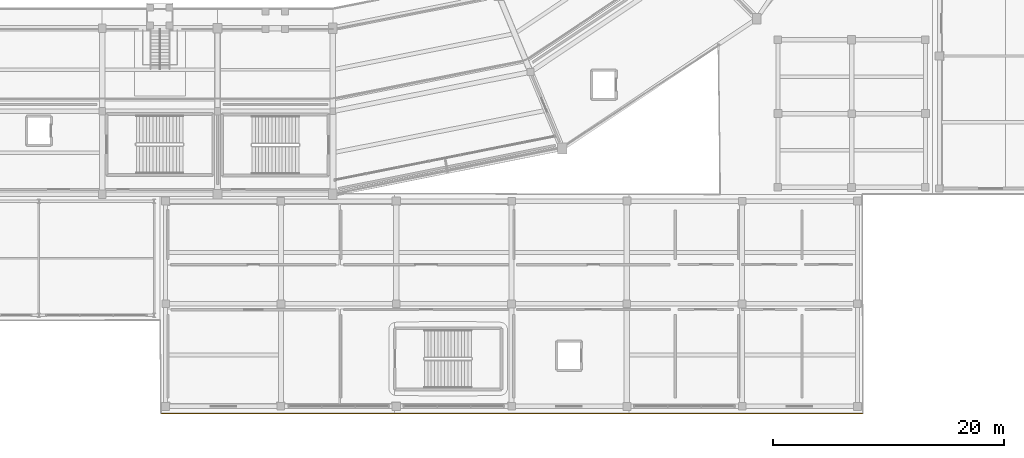
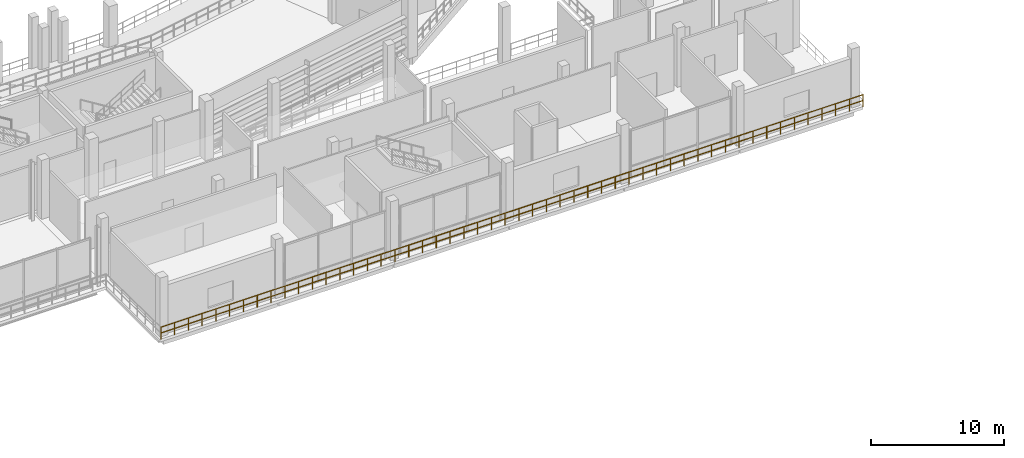
# One storey, part 110 of 127: 1 railing.
"""IFC4 building model written with IfcOpenShell, lengths in metres."""

from ifc_helpers import new_model, si_unit, direction, frame, origin, origin_2d, place, context, subcontext, project, spatial, circle, extrude, material, layer, layer_set, type_object, element, save


model = new_model("IFC4")

# Units and contexts
model_context = context("Model", 3, precision=1e-05, world=origin(), true_north=direction((0.0, 1.0)))
body_context = subcontext(model_context, "Body", "Model", "MODEL_VIEW")
ifc_project = project(units=[si_unit("LENGTHUNIT", "METRE"), si_unit("AREAUNIT", "SQUARE_METRE"), si_unit("VOLUMEUNIT", "CUBIC_METRE"), si_unit("PLANEANGLEUNIT", "RADIAN"), si_unit("MASSUNIT", "GRAM", prefix="KILO")], contexts=[model_context])

# Site, building, storey
site_placement = place(None, origin())
site = spatial("IfcSite", under=ifc_project, at=site_placement, CompositionType="ELEMENT")
building_placement = place(site_placement, origin())
building = spatial("IfcBuilding", under=site, at=building_placement, Name="Candeia Ridge Stadium", CompositionType="ELEMENT")
storey_placement = place(building_placement, frame((0.0, 0.0, 10.800048828125)))
storey = spatial("IfcBuildingStorey", under=building, at=storey_placement, Name="L02", CompositionType="ELEMENT", Elevation=10.800048828125)

# Railing
ifc_material = material(Name="Galvanized Powder-Coated Steel", Category="steel")
ifc_layer = layer(ifc_material, 0.074951171875, Name="Galvanized Powder-Coated Steel", Category="steel")
ifc_layer_set = layer_set([ifc_layer], Name="Galvanized Powder-Coated Steel")
railing_type = type_object("IfcRailingType", Name="Spectator Bowl Front Guardrail 1120", PredefinedType="GUARDRAIL", material=ifc_layer_set)
railing_placement = place(storey_placement, frame((187.0, 0.0, 0.0)))
element("IfcRailing", 1, at=railing_placement, inside=storey, type_object=railing_type, Name="Deck edge safety guardrail GR-DE-L02-0066", PredefinedType="GUARDRAIL", context=body_context, shape_type="SweptSolid", body=[
    extrude(circle(Radius=0.02392578125, at=origin_2d()), frame((0.0, 0.0, 1.09619140625), z_axis=(-1.0, 0.0, 0.0), x_axis=(0.0, -1.0, 0.0)), (0.0, 0.0, 1.0), 60.919921875),
    extrude(circle(Radius=0.02392578125, at=origin_2d()), frame((0.0, 0.0, 0.56005859375), z_axis=(-1.0, 0.0, 0.0), x_axis=(0.0, -1.0, 0.0)), (0.0, 0.0, 1.0), 60.919921875),
    extrude(circle(Radius=0.02099609375, at=origin_2d()), origin(), (0.0, 0.0, 1.0), 1.072021484375),
    extrude(circle(Radius=0.02099609375, at=origin_2d()), frame((-1.194580078125, 0.0, 0.0)), (0.0, 0.0, 1.0), 1.072021484375),
    extrude(circle(Radius=0.02099609375, at=origin_2d()), frame((-2.388916015625, 0.0, 0.0)), (0.0, 0.0, 1.0), 1.072021484375),
    extrude(circle(Radius=0.02099609375, at=origin_2d()), frame((-3.58349609375, 0.0, 0.0)), (0.0, 0.0, 1.0), 1.072021484375),
    extrude(circle(Radius=0.02099609375, at=origin_2d()), frame((-4.778076171875, 0.0, 0.0)), (0.0, 0.0, 1.0), 1.072021484375),
    extrude(circle(Radius=0.02099609375, at=origin_2d()), frame((-5.97265625, 0.0, 0.0)), (0.0, 0.0, 1.0), 1.072021484375),
    extrude(circle(Radius=0.02099609375, at=origin_2d()), frame((-7.1669921875, 0.0, 0.0)), (0.0, 0.0, 1.0), 1.072021484375),
    extrude(circle(Radius=0.02099609375, at=origin_2d()), frame((-8.361572265625, 0.0, 0.0)), (0.0, 0.0, 1.0), 1.072021484375),
    extrude(circle(Radius=0.02099609375, at=origin_2d()), frame((-9.55615234375, 0.0, 0.0)), (0.0, 0.0, 1.0), 1.072021484375),
    extrude(circle(Radius=0.02099609375, at=origin_2d()), frame((-10.75048828125, 0.0, 0.0)), (0.0, 0.0, 1.0), 1.072021484375),
    extrude(circle(Radius=0.02099609375, at=origin_2d()), frame((-11.945068359375, 0.0, 0.0)), (0.0, 0.0, 1.0), 1.072021484375),
    extrude(circle(Radius=0.02099609375, at=origin_2d()), frame((-13.1396484375, 0.0, 0.0)), (0.0, 0.0, 1.0), 1.072021484375),
    extrude(circle(Radius=0.02099609375, at=origin_2d()), frame((-14.333984375, 0.0, 0.0)), (0.0, 0.0, 1.0), 1.072021484375),
    extrude(circle(Radius=0.02099609375, at=origin_2d()), frame((-15.528564453125, 0.0, 0.0)), (0.0, 0.0, 1.0), 1.072021484375),
    extrude(circle(Radius=0.02099609375, at=origin_2d()), frame((-16.72314453125, 0.0, 0.0)), (0.0, 0.0, 1.0), 1.072021484375),
    extrude(circle(Radius=0.02099609375, at=origin_2d()), frame((-17.917724609375, 0.0, 0.0)), (0.0, 0.0, 1.0), 1.072021484375),
    extrude(circle(Radius=0.02099609375, at=origin_2d()), frame((-19.112060546875, 0.0, 0.0)), (0.0, 0.0, 1.0), 1.072021484375),
    extrude(circle(Radius=0.02099609375, at=origin_2d()), frame((-20.306640625, 0.0, 0.0)), (0.0, 0.0, 1.0), 1.072021484375),
    extrude(circle(Radius=0.02099609375, at=origin_2d()), frame((-21.501220703125, 0.0, 0.0)), (0.0, 0.0, 1.0), 1.072021484375),
    extrude(circle(Radius=0.02099609375, at=origin_2d()), frame((-22.695556640625, 0.0, 0.0)), (0.0, 0.0, 1.0), 1.072021484375),
    extrude(circle(Radius=0.02099609375, at=origin_2d()), frame((-23.89013671875, 0.0, 0.0)), (0.0, 0.0, 1.0), 1.072021484375),
    extrude(circle(Radius=0.02099609375, at=origin_2d()), frame((-25.084716796875, 0.0, 0.0)), (0.0, 0.0, 1.0), 1.072021484375),
    extrude(circle(Radius=0.02099609375, at=origin_2d()), frame((-26.279296875, 0.0, 0.0)), (0.0, 0.0, 1.0), 1.072021484375),
    extrude(circle(Radius=0.02099609375, at=origin_2d()), frame((-27.4736328125, 0.0, 0.0)), (0.0, 0.0, 1.0), 1.072021484375),
    extrude(circle(Radius=0.02099609375, at=origin_2d()), frame((-28.668212890625, 0.0, 0.0)), (0.0, 0.0, 1.0), 1.072021484375),
    extrude(circle(Radius=0.02099609375, at=origin_2d()), frame((-29.86279296875, 0.0, 0.0)), (0.0, 0.0, 1.0), 1.072021484375),
    extrude(circle(Radius=0.02099609375, at=origin_2d()), frame((-31.05712890625, 0.0, 0.0)), (0.0, 0.0, 1.0), 1.072021484375),
    extrude(circle(Radius=0.02099609375, at=origin_2d()), frame((-32.251708984375, 0.0, 0.0)), (0.0, 0.0, 1.0), 1.072021484375),
    extrude(circle(Radius=0.02099609375, at=origin_2d()), frame((-33.4462890625, 0.0, 0.0)), (0.0, 0.0, 1.0), 1.072021484375),
    extrude(circle(Radius=0.02099609375, at=origin_2d()), frame((-34.640625, 0.0, 0.0)), (0.0, 0.0, 1.0), 1.072021484375),
    extrude(circle(Radius=0.02099609375, at=origin_2d()), frame((-35.835205078125, 0.0, 0.0)), (0.0, 0.0, 1.0), 1.072021484375),
    extrude(circle(Radius=0.02099609375, at=origin_2d()), frame((-37.02978515625, 0.0, 0.0)), (0.0, 0.0, 1.0), 1.072021484375),
    extrude(circle(Radius=0.02099609375, at=origin_2d()), frame((-38.224365234375, 0.0, 0.0)), (0.0, 0.0, 1.0), 1.072021484375),
    extrude(circle(Radius=0.02099609375, at=origin_2d()), frame((-39.418701171875, 0.0, 0.0)), (0.0, 0.0, 1.0), 1.072021484375),
    extrude(circle(Radius=0.02099609375, at=origin_2d()), frame((-40.61328125, 0.0, 0.0)), (0.0, 0.0, 1.0), 1.072021484375),
    extrude(circle(Radius=0.02099609375, at=origin_2d()), frame((-41.807861328125, 0.0, 0.0)), (0.0, 0.0, 1.0), 1.072021484375),
    extrude(circle(Radius=0.02099609375, at=origin_2d()), frame((-43.002197265625, 0.0, 0.0)), (0.0, 0.0, 1.0), 1.072021484375),
    extrude(circle(Radius=0.02099609375, at=origin_2d()), frame((-44.19677734375, 0.0, 0.0)), (0.0, 0.0, 1.0), 1.072021484375),
    extrude(circle(Radius=0.02099609375, at=origin_2d()), frame((-45.391357421875, 0.0, 0.0)), (0.0, 0.0, 1.0), 1.072021484375),
    extrude(circle(Radius=0.02099609375, at=origin_2d()), frame((-46.5859375, 0.0, 0.0)), (0.0, 0.0, 1.0), 1.072021484375),
    extrude(circle(Radius=0.02099609375, at=origin_2d()), frame((-47.7802734375, 0.0, 0.0)), (0.0, 0.0, 1.0), 1.072021484375),
    extrude(circle(Radius=0.02099609375, at=origin_2d()), frame((-48.974853515625, 0.0, 0.0)), (0.0, 0.0, 1.0), 1.072021484375),
    extrude(circle(Radius=0.02099609375, at=origin_2d()), frame((-50.16943359375, 0.0, 0.0)), (0.0, 0.0, 1.0), 1.072021484375),
    extrude(circle(Radius=0.02099609375, at=origin_2d()), frame((-51.36376953125, 0.0, 0.0)), (0.0, 0.0, 1.0), 1.072021484375),
    extrude(circle(Radius=0.02099609375, at=origin_2d()), frame((-52.558349609375, 0.0, 0.0)), (0.0, 0.0, 1.0), 1.072021484375),
    extrude(circle(Radius=0.02099609375, at=origin_2d()), frame((-53.7529296875, 0.0, 0.0)), (0.0, 0.0, 1.0), 1.072021484375),
    extrude(circle(Radius=0.02099609375, at=origin_2d()), frame((-54.947265625, 0.0, 0.0)), (0.0, 0.0, 1.0), 1.072021484375),
    extrude(circle(Radius=0.02099609375, at=origin_2d()), frame((-56.141845703125, 0.0, 0.0)), (0.0, 0.0, 1.0), 1.072021484375),
    extrude(circle(Radius=0.02099609375, at=origin_2d()), frame((-57.33642578125, 0.0, 0.0)), (0.0, 0.0, 1.0), 1.072021484375),
    extrude(circle(Radius=0.02099609375, at=origin_2d()), frame((-58.531005859375, 0.0, 0.0)), (0.0, 0.0, 1.0), 1.072021484375),
    extrude(circle(Radius=0.02099609375, at=origin_2d()), frame((-59.725341796875, 0.0, 0.0)), (0.0, 0.0, 1.0), 1.072021484375),
    extrude(circle(Radius=0.02099609375, at=origin_2d()), frame((-60.919921875, 0.0, 0.0)), (0.0, 0.0, 1.0), 1.072021484375),
])

save(model, "model.ifc")
